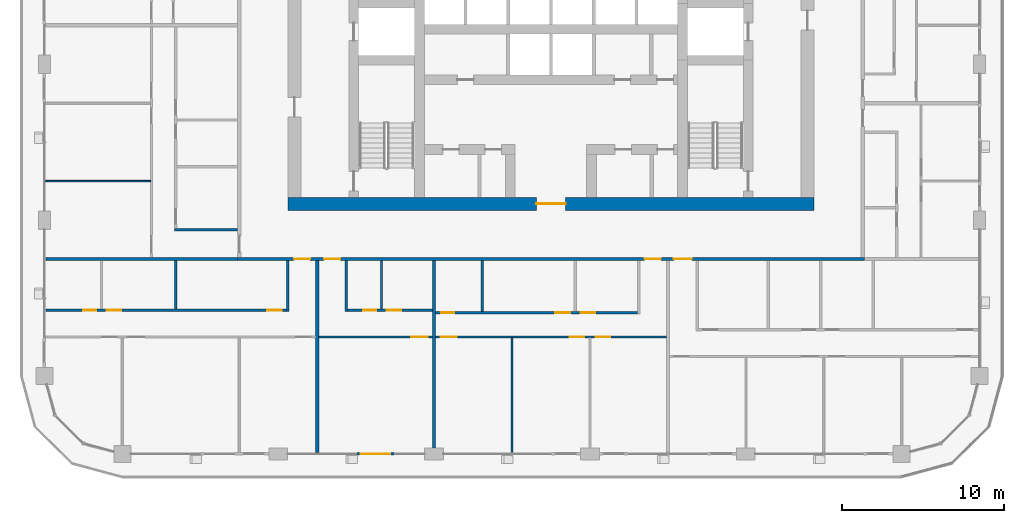
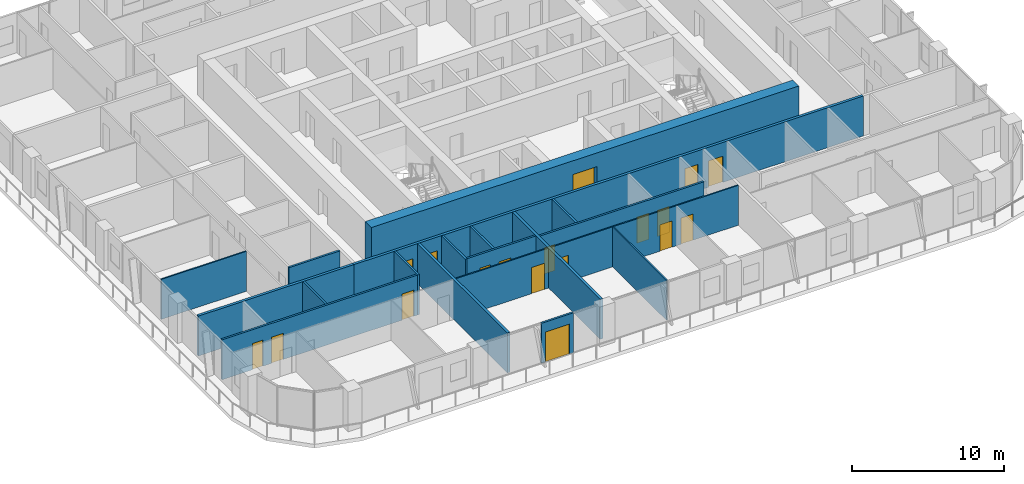
# One storey, part 9 of 22: 19 walls, 18 doors, 18 openings.
"""IFC4 building model written with IfcOpenShell, lengths in metres."""

from ifc_helpers import new_model, si_unit, direction, frame, frame_2d, origin, place, context, subcontext, project, spatial, rectangle, extrude, material, layer, layer_set, type_object, element, fill, save


model = new_model("IFC4")

# Units and contexts
model_context = context("Model", 3, precision=1e-05, world=origin(), true_north=direction((0.0, 1.0)))
body_context = subcontext(model_context, "Body", "Model", "MODEL_VIEW")
ifc_project = project(units=[si_unit("LENGTHUNIT", "METRE"), si_unit("AREAUNIT", "SQUARE_METRE"), si_unit("VOLUMEUNIT", "CUBIC_METRE"), si_unit("PLANEANGLEUNIT", "RADIAN"), si_unit("MASSUNIT", "GRAM", prefix="KILO")], contexts=[model_context])

# Site, building, storey
site_placement = place(None, origin())
site = spatial("IfcSite", under=ifc_project, at=site_placement, CompositionType="ELEMENT")
building_placement = place(site_placement, origin())
building = spatial("IfcBuilding", under=site, at=building_placement, Name="Madar Terraces", CompositionType="ELEMENT")
storey_placement = place(building_placement, frame((0.0, 0.0, 159.5)))
storey = spatial("IfcBuildingStorey", under=building, at=storey_placement, Name="L41", CompositionType="ELEMENT", Elevation=159.5)

# Wall, opening, door
ifc_material_1 = material(Name="Concrete C70/85", Category="concrete")
ifc_layer_1 = layer(ifc_material_1, 0.800048828125)
ifc_layer_set_1 = layer_set([ifc_layer_1], Name="Concrete C70/85 (CRW3 RC wall 800)")
wall_type_1 = type_object("IfcWallType", Name="CRW3 RC wall 800", PredefinedType="SHEAR", material=ifc_layer_set_1)
wall_1_placement = place(storey_placement, frame((15.0, 15.39990234375, 0.0), z_axis=(0.0, 0.0, 1.0), x_axis=(1.0, 0.0, 0.0)))
wall_1 = element("IfcWall", 1, at=wall_1_placement, inside=storey, type_object=wall_type_1, Name="CORE OUTER WALL", PredefinedType="SHEAR", context=body_context, shape_type="SweptSolid", body=[
    extrude(rectangle(XDim=32.39990234375, YDim=0.800048828125, at=frame_2d((16.199951171875, 0.0))), origin(), (0.0, 0.0, 1.0), 3.199951171875),
])
opening_1_placement = place(wall_1_placement, frame((15.300048828125, 0.0, 0.0)))
opening_1 = element("IfcOpeningElement", 2, at=opening_1_placement, cuts=wall_1, Name="Opening KD1", PredefinedType="OPENING", context=body_context, shape_type="SweptSolid", body=[
    extrude(rectangle(XDim=1.800048828125, YDim=2.10009765625, at=frame_2d((0.89990234375, 1.050048828125))), frame((0.0, 0.409912109375, 0.0), z_axis=(0.0, -1.0, 0.0), x_axis=(1.0, 0.0, 0.0)), (0.0, 0.0, 1.0), 0.820068359375),
])
ifc_material_2 = material(Name="Steel door leaf", Category="steel")
door_type_1 = type_object("IfcDoorType", Name="Lobby door pair 1800 x 2100", OperationType="DOUBLE_DOOR_SINGLE_SWING", PredefinedType="DOOR", material=ifc_material_2)
door_1_placement = place(opening_1_placement, frame((1.800048828125, 0.0, 0.0), z_axis=(0.0, 0.0, 1.0), x_axis=(-1.0, 0.0, 0.0)))
door_1 = element("IfcDoor", 3, at=door_1_placement, inside=storey, type_object=door_type_1, Name="LIFT LOBBY DOOR", OperationType="DOUBLE_DOOR_SINGLE_SWING", OverallHeight=2.10009765625, OverallWidth=1.800048828125, PredefinedType="DOOR", context=body_context, shape_type="SweptSolid", body=[
    extrude(rectangle(XDim=1.800048828125, YDim=2.10009765625, at=frame_2d((0.89990234375, 1.050048828125))), frame((0.0, 0.02490234375, 0.0), z_axis=(0.0, -1.0, 0.0), x_axis=(1.0, 0.0, 0.0)), (0.0, 0.0, 1.0), 0.050048828125),
])
fill(opening_1, door_1)

ifc_material_3 = material(Name="Aluminium composite panel, black, over insulated backing", Category="aluminium")
ifc_layer_2 = layer(ifc_material_3, 0.14990234375)
ifc_layer_set_2 = layer_set([ifc_layer_2], Name="Facade bay panel 150")
wall_type_2 = type_object("IfcWallType", Name="Facade bay panel 150", PredefinedType="SOLIDWALL", material=ifc_layer_set_2)
wall_2_placement = place(storey_placement, frame((19.199951171875, 0.0, 0.0), z_axis=(0.0, 0.0, 1.0), x_axis=(1.0, 0.0, 0.0)))
wall_2 = element("IfcWall", 4, at=wall_2_placement, inside=storey, type_object=wall_type_2, Name="Facade bay panel", PredefinedType="SOLIDWALL", context=body_context, shape_type="SweptSolid", body=[
    extrude(rectangle(XDim=2.400146484375, YDim=0.14990234375, at=frame_2d((1.2001953125, 0.0))), origin(), (0.0, 0.0, 1.0), 3.199951171875),
])
opening_2_placement = place(wall_2_placement, frame((0.300048828125, 0.0, 0.0)))
opening_2 = element("IfcOpeningElement", 5, at=opening_2_placement, cuts=wall_2, Name="Opening ED1", PredefinedType="OPENING", context=body_context, shape_type="SweptSolid", body=[
    extrude(rectangle(XDim=1.800048828125, YDim=2.39990234375, at=frame_2d((0.89990234375, 1.199951171875))), frame((0.0, 0.0849609375, 0.0), z_axis=(0.0, -1.0, 0.0), x_axis=(1.0, 0.0, 0.0)), (0.0, 0.0, 1.0), 0.169921875),
])
ifc_material_4 = material(Name="Glass, clear, with black aluminium frame", Category="aluminium")
door_type_2 = type_object("IfcDoorType", Name="Balcony and terrace sliding door 1800 x 2400", OperationType="SLIDING_TO_LEFT", PredefinedType="DOOR", material=ifc_material_4)
door_2_placement = place(opening_2_placement, origin())
door_2 = element("IfcDoor", 6, at=door_2_placement, inside=storey, type_object=door_type_2, Name="Balcony door", OperationType="SLIDING_TO_RIGHT", OverallHeight=2.39990234375, OverallWidth=1.800048828125, PredefinedType="DOOR", context=body_context, shape_type="SweptSolid", body=[
    extrude(rectangle(XDim=1.800048828125, YDim=2.39990234375, at=frame_2d((0.89990234375, 1.199951171875))), frame((0.0, 0.02490234375, 0.0), z_axis=(0.0, -1.0, 0.0), x_axis=(1.0, 0.0, 0.0)), (0.0, 0.0, 1.0), 0.050048828125),
])
fill(opening_2, door_2)

ifc_material_5 = material(Name="Gypsum board on steel studs", Category="steel")
ifc_layer_3 = layer(ifc_material_5, 0.10009765625)
ifc_layer_set_3 = layer_set([ifc_layer_3], Name="Flat partition 100")
wall_type_3 = type_object("IfcWallType", Name="Flat partition 100", PredefinedType="PARTITIONING", material=ifc_layer_set_3)
wall_3_placement = place(storey_placement, frame((23.89990234375, 7.199951171875, 0.0), z_axis=(0.0, 0.0, 1.0), x_axis=(-1.0, 0.0, 0.0)))
wall_3 = element("IfcWall", 7, at=wall_3_placement, inside=storey, type_object=wall_type_3, Name="Flat partition 100", PredefinedType="PARTITIONING", context=body_context, shape_type="SweptSolid", body=[
    extrude(rectangle(XDim=7.0, YDim=0.10009765625, at=frame_2d((3.5, 0.0))), origin(), (0.0, 0.0, 1.0), 3.199951171875),
])
opening_3_placement = place(wall_3_placement, frame((0.300048828125, 0.0, 0.0)))
opening_3 = element("IfcOpeningElement", 8, at=opening_3_placement, cuts=wall_3, Name="Opening D3", PredefinedType="OPENING", context=body_context, shape_type="SweptSolid", body=[
    extrude(rectangle(XDim=1.0, YDim=2.10009765625, at=frame_2d((0.5, 1.050048828125))), frame((0.0, 0.06005859375, 0.0), z_axis=(0.0, -1.0, 0.0), x_axis=(1.0, 0.0, 0.0)), (0.0, 0.0, 1.0), 0.1201171875),
])
ifc_material_6 = material(Name="Timber door leaf", Category="wood")
door_type_3 = type_object("IfcDoorType", Name="Flat living room door 1000", OperationType="NOTDEFINED", PredefinedType="DOOR", material=ifc_material_6)
door_3_placement = place(opening_3_placement, origin())
door_3 = element("IfcDoor", 9, at=door_3_placement, inside=storey, type_object=door_type_3, Name="Flat living room door 1000", OperationType="SINGLE_SWING_LEFT", OverallHeight=2.10009765625, OverallWidth=1.0, PredefinedType="DOOR", context=body_context, shape_type="SweptSolid", body=[
    extrude(rectangle(XDim=1.0, YDim=2.10009765625, at=frame_2d((0.5, 1.050048828125))), frame((0.0, 0.02490234375, 0.0), z_axis=(0.0, -1.0, 0.0), x_axis=(1.0, 0.0, 0.0)), (0.0, 0.0, 1.0), 0.050048828125),
])
fill(opening_3, door_3)

# Wall
wall_4_placement = place(storey_placement, frame((28.800048828125, 7.14990234375, 0.0), z_axis=(0.0, 0.0, 1.0), x_axis=(0.0, -1.0, 0.0)))
element("IfcWall", 10, at=wall_4_placement, inside=storey, type_object=wall_type_3, Name="Flat partition 100", PredefinedType="PARTITIONING", context=body_context, shape_type="SweptSolid", body=[
    extrude(rectangle(XDim=7.0498046875, YDim=0.10009765625, at=frame_2d((3.52490234375, 0.0))), origin(), (0.0, 0.0, 1.0), 3.199951171875),
])

# Wall, openings, doors
wall_5_placement = place(storey_placement, frame((38.300048828125, 7.199951171875, 0.0), z_axis=(0.0, 0.0, 1.0), x_axis=(-1.0, 0.0, 0.0)))
wall_5 = element("IfcWall", 11, at=wall_5_placement, inside=storey, type_object=wall_type_3, Name="Flat partition 100", PredefinedType="PARTITIONING", context=body_context, shape_type="SweptSolid", body=[
    extrude(rectangle(XDim=14.199951171875, YDim=0.10009765625, at=frame_2d((7.10009765625, 0.0))), origin(), (0.0, 0.0, 1.0), 3.199951171875),
])
opening_4_placement = place(wall_5_placement, frame((3.449951171875, 0.0, 0.0)))
opening_4 = element("IfcOpeningElement", 12, at=opening_4_placement, cuts=wall_5, Name="Opening D2", PredefinedType="OPENING", context=body_context, shape_type="SweptSolid", body=[
    extrude(rectangle(XDim=0.89990234375, YDim=2.10009765625, at=frame_2d((0.449951171875, 1.050048828125))), frame((0.0, 0.06005859375, 0.0), z_axis=(0.0, -1.0, 0.0), x_axis=(1.0, 0.0, 0.0)), (0.0, 0.0, 1.0), 0.1201171875),
])
opening_5_placement = place(wall_5_placement, frame((5.050048828125, 0.0, 0.0)))
opening_5 = element("IfcOpeningElement", 13, at=opening_5_placement, cuts=wall_5, Name="Opening D2", PredefinedType="OPENING", context=body_context, shape_type="SweptSolid", body=[
    extrude(rectangle(XDim=0.89990234375, YDim=2.10009765625, at=frame_2d((0.449951171875, 1.050048828125))), frame((0.0, 0.06005859375, 0.0), z_axis=(0.0, -1.0, 0.0), x_axis=(1.0, 0.0, 0.0)), (0.0, 0.0, 1.0), 0.1201171875),
])
opening_6_placement = place(wall_5_placement, frame((12.89990234375, 0.0, 0.0)))
opening_6 = element("IfcOpeningElement", 14, at=opening_6_placement, cuts=wall_5, Name="Opening D3", PredefinedType="OPENING", context=body_context, shape_type="SweptSolid", body=[
    extrude(rectangle(XDim=1.0, YDim=2.10009765625, at=frame_2d((0.5, 1.050048828125))), frame((0.0, 0.06005859375, 0.0), z_axis=(0.0, -1.0, 0.0), x_axis=(1.0, 0.0, 0.0)), (0.0, 0.0, 1.0), 0.1201171875),
])
door_4_placement = place(opening_6_placement, origin())
door_4 = element("IfcDoor", 15, at=door_4_placement, inside=storey, type_object=door_type_3, Name="Flat living room door 1000", OperationType="SINGLE_SWING_RIGHT", OverallHeight=2.10009765625, OverallWidth=1.0, PredefinedType="DOOR", context=body_context, shape_type="SweptSolid", body=[
    extrude(rectangle(XDim=1.0, YDim=2.10009765625, at=frame_2d((0.5, 1.050048828125))), frame((0.0, 0.02490234375, 0.0), z_axis=(0.0, -1.0, 0.0), x_axis=(1.0, 0.0, 0.0)), (0.0, 0.0, 1.0), 0.050048828125),
])
fill(opening_6, door_4)
ifc_material_7 = material(Name="Timber door leaf", Category="wood")
door_type_4 = type_object("IfcDoorType", Name="Flat room door 900", OperationType="NOTDEFINED", PredefinedType="DOOR", material=ifc_material_7)
door_5_placement = place(opening_4_placement, origin())
door_5 = element("IfcDoor", 16, at=door_5_placement, inside=storey, type_object=door_type_4, Name="Flat room door 900", OperationType="SINGLE_SWING_RIGHT", OverallHeight=2.10009765625, OverallWidth=0.89990234375, PredefinedType="DOOR", context=body_context, shape_type="SweptSolid", body=[
    extrude(rectangle(XDim=0.89990234375, YDim=2.10009765625, at=frame_2d((0.449951171875, 1.050048828125))), frame((0.0, 0.02490234375, 0.0), z_axis=(0.0, -1.0, 0.0), x_axis=(1.0, 0.0, 0.0)), (0.0, 0.0, 1.0), 0.050048828125),
])
fill(opening_4, door_5)
door_6_placement = place(opening_5_placement, origin())
door_6 = element("IfcDoor", 17, at=door_6_placement, inside=storey, type_object=door_type_4, Name="Flat room door 900", OperationType="SINGLE_SWING_LEFT", OverallHeight=2.10009765625, OverallWidth=0.89990234375, PredefinedType="DOOR", context=body_context, shape_type="SweptSolid", body=[
    extrude(rectangle(XDim=0.89990234375, YDim=2.10009765625, at=frame_2d((0.449951171875, 1.050048828125))), frame((0.0, 0.02490234375, 0.0), z_axis=(0.0, -1.0, 0.0), x_axis=(1.0, 0.0, 0.0)), (0.0, 0.0, 1.0), 0.050048828125),
])
fill(opening_5, door_6)

# Wall
wall_6_placement = place(storey_placement, frame((6.550048828125, 16.800048828125, 0.0), z_axis=(0.0, 0.0, 1.0), x_axis=(-1.0, 0.0, 0.0)))
element("IfcWall", 18, at=wall_6_placement, inside=storey, type_object=wall_type_3, Name="Flat partition 100", PredefinedType="PARTITIONING", context=body_context, shape_type="SweptSolid", body=[
    extrude(rectangle(XDim=6.449951171875, YDim=0.10009765625, at=frame_2d((3.22509765625, 0.0))), origin(), (0.0, 0.0, 1.0), 3.199951171875),
])

# Wall, openings, doors
ifc_material_8 = material(Name="Lightweight blockwork", Category="masonry")
ifc_layer_4 = layer(ifc_material_8, 0.199951171875)
ifc_layer_set_4 = layer_set([ifc_layer_4], Name="Flat party and entrance wall 200")
wall_type_4 = type_object("IfcWallType", Name="Flat party and entrance wall 200", PredefinedType="PARTITIONING", material=ifc_layer_set_4)
wall_7_placement = place(storey_placement, frame((50.5, 12.0, 0.0), z_axis=(0.0, 0.0, 1.0), x_axis=(-1.0, 0.0, 0.0)))
wall_7 = element("IfcWall", 19, at=wall_7_placement, inside=storey, type_object=wall_type_4, Name="Flat party and entrance wall 200", PredefinedType="PARTITIONING", context=body_context, shape_type="SweptSolid", body=[
    extrude(rectangle(XDim=38.60009765625, YDim=0.199951171875, at=frame_2d((19.300048828125, 0.0))), origin(), (0.0, 0.0, 1.0), 3.199951171875),
])
opening_7_placement = place(wall_7_placement, frame((34.125, 0.0, 0.0)))
opening_7 = element("IfcOpeningElement", 20, at=opening_7_placement, cuts=wall_7, Name="Opening D1", PredefinedType="OPENING", context=body_context, shape_type="SweptSolid", body=[
    extrude(rectangle(XDim=1.0, YDim=2.10009765625, at=frame_2d((0.5, 1.050048828125))), frame((0.0, 0.10986328125, 0.0), z_axis=(0.0, -1.0, 0.0), x_axis=(1.0, 0.0, 0.0)), (0.0, 0.0, 1.0), 0.219970703125),
])
opening_8_placement = place(wall_7_placement, frame((32.27490234375, 0.0, 0.0)))
opening_8 = element("IfcOpeningElement", 21, at=opening_8_placement, cuts=wall_7, Name="Opening D1", PredefinedType="OPENING", context=body_context, shape_type="SweptSolid", body=[
    extrude(rectangle(XDim=1.0, YDim=2.10009765625, at=frame_2d((0.5, 1.050048828125))), frame((0.0, 0.10986328125, 0.0), z_axis=(0.0, -1.0, 0.0), x_axis=(1.0, 0.0, 0.0)), (0.0, 0.0, 1.0), 0.219970703125),
])
opening_9_placement = place(wall_7_placement, frame((12.52490234375, 0.0, 0.0)))
opening_9 = element("IfcOpeningElement", 22, at=opening_9_placement, cuts=wall_7, Name="Opening D1", PredefinedType="OPENING", context=body_context, shape_type="SweptSolid", body=[
    extrude(rectangle(XDim=1.0, YDim=2.10009765625, at=frame_2d((0.5, 1.050048828125))), frame((0.0, 0.10986328125, 0.0), z_axis=(0.0, -1.0, 0.0), x_axis=(1.0, 0.0, 0.0)), (0.0, 0.0, 1.0), 0.219970703125),
])
opening_10_placement = place(wall_7_placement, frame((10.625, 0.0, 0.0)))
opening_10 = element("IfcOpeningElement", 23, at=opening_10_placement, cuts=wall_7, Name="Opening D6", PredefinedType="OPENING", context=body_context, shape_type="SweptSolid", body=[
    extrude(rectangle(XDim=1.10009765625, YDim=2.10009765625, at=frame_2d((0.550048828125, 1.050048828125))), frame((0.0, 0.10986328125, 0.0), z_axis=(0.0, -1.0, 0.0), x_axis=(1.0, 0.0, 0.0)), (0.0, 0.0, 1.0), 0.219970703125),
])
ifc_material_9 = material(Name="Timber fire door leaf", Category="wood")
door_type_5 = type_object("IfcDoorType", Name="Flat entrance door 1000 FD30S", OperationType="NOTDEFINED", PredefinedType="DOOR", material=ifc_material_9)
door_7_placement = place(opening_7_placement, origin())
door_7 = element("IfcDoor", 24, at=door_7_placement, inside=storey, type_object=door_type_5, Name="Flat entrance door 1000 FD30S", OperationType="SINGLE_SWING_LEFT", OverallHeight=2.10009765625, OverallWidth=1.0, PredefinedType="DOOR", context=body_context, shape_type="SweptSolid", body=[
    extrude(rectangle(XDim=1.0, YDim=2.10009765625, at=frame_2d((0.5, 1.050048828125))), frame((0.0, 0.02490234375, 0.0), z_axis=(0.0, -1.0, 0.0), x_axis=(1.0, 0.0, 0.0)), (0.0, 0.0, 1.0), 0.050048828125),
])
fill(opening_7, door_7)
door_8_placement = place(opening_8_placement, origin())
door_8 = element("IfcDoor", 25, at=door_8_placement, inside=storey, type_object=door_type_5, Name="Flat entrance door 1000 FD30S", OperationType="SINGLE_SWING_RIGHT", OverallHeight=2.10009765625, OverallWidth=1.0, PredefinedType="DOOR", context=body_context, shape_type="SweptSolid", body=[
    extrude(rectangle(XDim=1.0, YDim=2.10009765625, at=frame_2d((0.5, 1.050048828125))), frame((0.0, 0.02490234375, 0.0), z_axis=(0.0, -1.0, 0.0), x_axis=(1.0, 0.0, 0.0)), (0.0, 0.0, 1.0), 0.050048828125),
])
fill(opening_8, door_8)
door_9_placement = place(opening_9_placement, origin())
door_9 = element("IfcDoor", 26, at=door_9_placement, inside=storey, type_object=door_type_5, Name="Flat entrance door 1000 FD30S", OperationType="SINGLE_SWING_LEFT", OverallHeight=2.10009765625, OverallWidth=1.0, PredefinedType="DOOR", context=body_context, shape_type="SweptSolid", body=[
    extrude(rectangle(XDim=1.0, YDim=2.10009765625, at=frame_2d((0.5, 1.050048828125))), frame((0.0, 0.02490234375, 0.0), z_axis=(0.0, -1.0, 0.0), x_axis=(1.0, 0.0, 0.0)), (0.0, 0.0, 1.0), 0.050048828125),
])
fill(opening_9, door_9)
ifc_material_10 = material(Name="Timber fire door leaf", Category="wood")
door_type_6 = type_object("IfcDoorType", Name="Flat entrance door 1100 FD30S", OperationType="NOTDEFINED", PredefinedType="DOOR", material=ifc_material_10)
door_10_placement = place(opening_10_placement, origin())
door_10 = element("IfcDoor", 27, at=door_10_placement, inside=storey, type_object=door_type_6, Name="Flat entrance door 1100 FD30S", OperationType="SINGLE_SWING_RIGHT", OverallHeight=2.10009765625, OverallWidth=1.10009765625, PredefinedType="DOOR", context=body_context, shape_type="SweptSolid", body=[
    extrude(rectangle(XDim=1.10009765625, YDim=2.10009765625, at=frame_2d((0.550048828125, 1.050048828125))), frame((0.0, 0.02490234375, 0.0), z_axis=(0.0, -1.0, 0.0), x_axis=(1.0, 0.0, 0.0)), (0.0, 0.0, 1.0), 0.050048828125),
])
fill(opening_10, door_10)

# Walls
for number, where, z_axis, x_axis, name in (
    (28, (16.800048828125, 11.89990234375, 0.0), (0.0, 0.0, 1.0), (0.0, -1.0, 0.0), "Flat party and entrance wall 200"),
    (29, (0.10009765625, 12.0, 0.0), (0.0, 0.0, 1.0), (1.0, 0.0, 0.0), "Flat party and entrance wall 200"),
):
    element("IfcWall", number, at=place(storey_placement, frame(where, z_axis=z_axis, x_axis=x_axis)), inside=storey, type_object=wall_type_4, Name=name, PredefinedType="PARTITIONING", context=body_context, shape_type="SweptSolid", body=[
        extrude(rectangle(XDim=11.7998046875, YDim=0.199951171875, at=frame_2d((5.89990234375, 0.0))), origin(), (0.0, 0.0, 1.0), 3.199951171875),
    ])
wall_8_placement = place(storey_placement, frame((24.0, 11.89990234375, 0.0), z_axis=(0.0, 0.0, 1.0), x_axis=(0.0, -1.0, 0.0)))
element("IfcWall", 30, at=wall_8_placement, inside=storey, type_object=wall_type_4, Name="Flat party and entrance wall 200", PredefinedType="PARTITIONING", context=body_context, shape_type="SweptSolid", body=[
    extrude(rectangle(XDim=11.52490234375, YDim=0.199951171875, at=frame_2d((5.762451171875, 0.0))), origin(), (0.0, 0.0, 1.0), 3.199951171875),
])
ifc_material_11 = material(Name="Lightweight blockwork", Category="masonry")
ifc_layer_5 = layer(ifc_material_11, 0.14990234375)
ifc_layer_set_5 = layer_set([ifc_layer_5], Name="Flat wet-room partition 150")
wall_type_5 = type_object("IfcWallType", Name="Flat wet-room partition 150", PredefinedType="PARTITIONING", material=ifc_layer_set_5)
wall_9_placement = place(storey_placement, frame((8.082763671875, 11.89990234375, 0.0), z_axis=(0.0, 0.0, 1.0), x_axis=(0.0, -1.0, 0.0)))
element("IfcWall", 31, at=wall_9_placement, inside=storey, type_object=wall_type_5, Name="Flat wet-room partition 150", PredefinedType="PARTITIONING", context=body_context, shape_type="SweptSolid", body=[
    extrude(rectangle(XDim=2.974853515625, YDim=0.14990234375, at=frame_2d((1.4873046875, 0.0))), origin(), (0.0, 0.0, 1.0), 3.199951171875),
])
wall_10_placement = place(storey_placement, frame((15.0, 11.89990234375, 0.0), z_axis=(0.0, 0.0, 1.0), x_axis=(0.0, -1.0, 0.0)))
element("IfcWall", 32, at=wall_10_placement, inside=storey, type_object=wall_type_5, Name="Flat wet-room partition 150", PredefinedType="PARTITIONING", context=body_context, shape_type="SweptSolid", body=[
    extrude(rectangle(XDim=3.125, YDim=0.14990234375, at=frame_2d((1.5625, 0.0))), origin(), (0.0, 0.0, 1.0), 3.199951171875),
])

# Wall, openings, doors
wall_11_placement = place(storey_placement, frame((0.10009765625, 8.85009765625, 0.0), z_axis=(0.0, 0.0, 1.0), x_axis=(1.0, 0.0, 0.0)))
wall_11 = element("IfcWall", 33, at=wall_11_placement, inside=storey, type_object=wall_type_5, Name="Flat wet-room partition 150", PredefinedType="PARTITIONING", context=body_context, shape_type="SweptSolid", body=[
    extrude(rectangle(XDim=14.824951171875, YDim=0.14990234375, at=frame_2d((7.41259765625, 0.0))), origin(), (0.0, 0.0, 1.0), 3.199951171875),
])
opening_11_placement = place(wall_11_placement, frame((13.625, 0.0, 0.0)))
opening_11 = element("IfcOpeningElement", 34, at=opening_11_placement, cuts=wall_11, Name="Opening D2", PredefinedType="OPENING", context=body_context, shape_type="SweptSolid", body=[
    extrude(rectangle(XDim=0.89990234375, YDim=2.10009765625, at=frame_2d((0.449951171875, 1.050048828125))), frame((0.0, 0.0849609375, 0.0), z_axis=(0.0, -1.0, 0.0), x_axis=(1.0, 0.0, 0.0)), (0.0, 0.0, 1.0), 0.169921875),
])
opening_12_placement = place(wall_11_placement, frame((3.74609375, 0.0, 0.0)))
opening_12 = element("IfcOpeningElement", 35, at=opening_12_placement, cuts=wall_11, Name="Opening D5", PredefinedType="OPENING", context=body_context, shape_type="SweptSolid", body=[
    extrude(rectangle(XDim=0.89990234375, YDim=2.10009765625, at=frame_2d((0.449951171875, 1.050048828125))), frame((0.0, 0.0849609375, 0.0), z_axis=(0.0, -1.0, 0.0), x_axis=(1.0, 0.0, 0.0)), (0.0, 0.0, 1.0), 0.169921875),
])
opening_13_placement = place(wall_11_placement, frame((2.296142578125, 0.0, 0.0)))
opening_13 = element("IfcOpeningElement", 36, at=opening_13_placement, cuts=wall_11, Name="Opening D4", PredefinedType="OPENING", context=body_context, shape_type="SweptSolid", body=[
    extrude(rectangle(XDim=0.800048828125, YDim=2.10009765625, at=frame_2d((0.39990234375, 1.050048828125))), frame((0.0, 0.0849609375, 0.0), z_axis=(0.0, -1.0, 0.0), x_axis=(1.0, 0.0, 0.0)), (0.0, 0.0, 1.0), 0.169921875),
])
ifc_material_12 = material(Name="Timber door leaf", Category="wood")
door_type_7 = type_object("IfcDoorType", Name="Flat accessible bathroom door 900", OperationType="NOTDEFINED", PredefinedType="DOOR", material=ifc_material_12)
door_11_placement = place(opening_12_placement, origin())
door_11 = element("IfcDoor", 37, at=door_11_placement, inside=storey, type_object=door_type_7, Name="Flat accessible bathroom door 900", OperationType="SINGLE_SWING_LEFT", OverallHeight=2.10009765625, OverallWidth=0.89990234375, PredefinedType="DOOR", context=body_context, shape_type="SweptSolid", body=[
    extrude(rectangle(XDim=0.89990234375, YDim=2.10009765625, at=frame_2d((0.449951171875, 1.050048828125))), frame((0.0, 0.02490234375, 0.0), z_axis=(0.0, -1.0, 0.0), x_axis=(1.0, 0.0, 0.0)), (0.0, 0.0, 1.0), 0.050048828125),
])
fill(opening_12, door_11)
ifc_material_13 = material(Name="Timber door leaf", Category="wood")
door_type_8 = type_object("IfcDoorType", Name="Flat bathroom door 800", OperationType="NOTDEFINED", PredefinedType="DOOR", material=ifc_material_13)
door_12_placement = place(opening_13_placement, origin())
door_12 = element("IfcDoor", 38, at=door_12_placement, inside=storey, type_object=door_type_8, Name="Flat bathroom door 800", OperationType="SINGLE_SWING_RIGHT", OverallHeight=2.10009765625, OverallWidth=0.800048828125, PredefinedType="DOOR", context=body_context, shape_type="SweptSolid", body=[
    extrude(rectangle(XDim=0.800048828125, YDim=2.10009765625, at=frame_2d((0.39990234375, 1.050048828125))), frame((0.0, 0.02490234375, 0.0), z_axis=(0.0, -1.0, 0.0), x_axis=(1.0, 0.0, 0.0)), (0.0, 0.0, 1.0), 0.050048828125),
])
fill(opening_13, door_12)
door_13_placement = place(opening_11_placement, origin())
door_13 = element("IfcDoor", 39, at=door_13_placement, inside=storey, type_object=door_type_4, Name="Flat room door 900", OperationType="SINGLE_SWING_RIGHT", OverallHeight=2.10009765625, OverallWidth=0.89990234375, PredefinedType="DOOR", context=body_context, shape_type="SweptSolid", body=[
    extrude(rectangle(XDim=0.89990234375, YDim=2.10009765625, at=frame_2d((0.449951171875, 1.050048828125))), frame((0.0, 0.02490234375, 0.0), z_axis=(0.0, -1.0, 0.0), x_axis=(1.0, 0.0, 0.0)), (0.0, 0.0, 1.0), 0.050048828125),
])
fill(opening_11, door_13)

# Walls
wall_12_placement = place(storey_placement, frame((20.764892578125, 11.89990234375, 0.0), z_axis=(0.0, 0.0, 1.0), x_axis=(0.0, -1.0, 0.0)))
element("IfcWall", 40, at=wall_12_placement, inside=storey, type_object=wall_type_5, Name="Flat wet-room partition 150", PredefinedType="PARTITIONING", context=body_context, shape_type="SweptSolid", body=[
    extrude(rectangle(XDim=2.974853515625, YDim=0.14990234375, at=frame_2d((1.4873046875, 0.0))), origin(), (0.0, 0.0, 1.0), 3.199951171875),
])
wall_13_placement = place(storey_placement, frame((18.60009765625, 11.89990234375, 0.0), z_axis=(0.0, 0.0, 1.0), x_axis=(0.0, -1.0, 0.0)))
element("IfcWall", 41, at=wall_13_placement, inside=storey, type_object=wall_type_5, Name="Flat wet-room partition 150", PredefinedType="PARTITIONING", context=body_context, shape_type="SweptSolid", body=[
    extrude(rectangle(XDim=3.125, YDim=0.14990234375, at=frame_2d((1.5625, 0.0))), origin(), (0.0, 0.0, 1.0), 3.199951171875),
])

# Wall, openings, doors
wall_14_placement = place(storey_placement, frame((18.675048828125, 8.85009765625, 0.0), z_axis=(0.0, 0.0, 1.0), x_axis=(1.0, 0.0, 0.0)))
wall_14 = element("IfcWall", 42, at=wall_14_placement, inside=storey, type_object=wall_type_5, Name="Flat wet-room partition 150", PredefinedType="PARTITIONING", context=body_context, shape_type="SweptSolid", body=[
    extrude(rectangle(XDim=5.224853515625, YDim=0.14990234375, at=frame_2d((2.6123046875, 0.0))), origin(), (0.0, 0.0, 1.0), 3.199951171875),
])
opening_14_placement = place(wall_14_placement, frame((0.965087890625, 0.0, 0.0)))
opening_14 = element("IfcOpeningElement", 43, at=opening_14_placement, cuts=wall_14, Name="Opening D4", PredefinedType="OPENING", context=body_context, shape_type="SweptSolid", body=[
    extrude(rectangle(XDim=0.800048828125, YDim=2.10009765625, at=frame_2d((0.39990234375, 1.050048828125))), frame((0.0, 0.0849609375, 0.0), z_axis=(0.0, -1.0, 0.0), x_axis=(1.0, 0.0, 0.0)), (0.0, 0.0, 1.0), 0.169921875),
])
opening_15_placement = place(wall_14_placement, frame((2.4150390625, 0.0, 0.0)))
opening_15 = element("IfcOpeningElement", 44, at=opening_15_placement, cuts=wall_14, Name="Opening D2", PredefinedType="OPENING", context=body_context, shape_type="SweptSolid", body=[
    extrude(rectangle(XDim=0.89990234375, YDim=2.10009765625, at=frame_2d((0.449951171875, 1.050048828125))), frame((0.0, 0.0849609375, 0.0), z_axis=(0.0, -1.0, 0.0), x_axis=(1.0, 0.0, 0.0)), (0.0, 0.0, 1.0), 0.169921875),
])
door_14_placement = place(opening_14_placement, origin())
door_14 = element("IfcDoor", 45, at=door_14_placement, inside=storey, type_object=door_type_8, Name="Flat bathroom door 800", OperationType="SINGLE_SWING_RIGHT", OverallHeight=2.10009765625, OverallWidth=0.800048828125, PredefinedType="DOOR", context=body_context, shape_type="SweptSolid", body=[
    extrude(rectangle(XDim=0.800048828125, YDim=2.10009765625, at=frame_2d((0.39990234375, 1.050048828125))), frame((0.0, 0.02490234375, 0.0), z_axis=(0.0, -1.0, 0.0), x_axis=(1.0, 0.0, 0.0)), (0.0, 0.0, 1.0), 0.050048828125),
])
fill(opening_14, door_14)
door_15_placement = place(opening_15_placement, origin())
door_15 = element("IfcDoor", 46, at=door_15_placement, inside=storey, type_object=door_type_4, Name="Flat room door 900", OperationType="SINGLE_SWING_LEFT", OverallHeight=2.10009765625, OverallWidth=0.89990234375, PredefinedType="DOOR", context=body_context, shape_type="SweptSolid", body=[
    extrude(rectangle(XDim=0.89990234375, YDim=2.10009765625, at=frame_2d((0.449951171875, 1.050048828125))), frame((0.0, 0.02490234375, 0.0), z_axis=(0.0, -1.0, 0.0), x_axis=(1.0, 0.0, 0.0)), (0.0, 0.0, 1.0), 0.050048828125),
])
fill(opening_15, door_15)

# Wall
wall_15_placement = place(storey_placement, frame((26.96728515625, 11.89990234375, 0.0), z_axis=(0.0, 0.0, 1.0), x_axis=(0.0, -1.0, 0.0)))
element("IfcWall", 47, at=wall_15_placement, inside=storey, type_object=wall_type_5, Name="Flat wet-room partition 150", PredefinedType="PARTITIONING", context=body_context, shape_type="SweptSolid", body=[
    extrude(rectangle(XDim=3.125, YDim=0.14990234375, at=frame_2d((1.5625, 0.0))), origin(), (0.0, 0.0, 1.0), 3.199951171875),
])

# Wall, openings, doors
wall_16_placement = place(storey_placement, frame((24.10009765625, 8.699951171875, 0.0), z_axis=(0.0, 0.0, 1.0), x_axis=(1.0, 0.0, 0.0)))
wall_16 = element("IfcWall", 48, at=wall_16_placement, inside=storey, type_object=wall_type_5, Name="Flat wet-room partition 150", PredefinedType="PARTITIONING", context=body_context, shape_type="SweptSolid", body=[
    extrude(rectangle(XDim=12.4248046875, YDim=0.14990234375, at=frame_2d((6.21240234375, 0.0))), origin(), (0.0, 0.0, 1.0), 3.199951171875),
])
opening_16_placement = place(wall_16_placement, frame((8.927001953125, 0.0, 0.0)))
opening_16 = element("IfcOpeningElement", 49, at=opening_16_placement, cuts=wall_16, Name="Opening D5", PredefinedType="OPENING", context=body_context, shape_type="SweptSolid", body=[
    extrude(rectangle(XDim=0.89990234375, YDim=2.10009765625, at=frame_2d((0.449951171875, 1.050048828125))), frame((0.0, 0.0849609375, 0.0), z_axis=(0.0, -1.0, 0.0), x_axis=(1.0, 0.0, 0.0)), (0.0, 0.0, 1.0), 0.169921875),
])
opening_17_placement = place(wall_16_placement, frame((7.376953125, 0.0, 0.0)))
opening_17 = element("IfcOpeningElement", 50, at=opening_17_placement, cuts=wall_16, Name="Opening D2", PredefinedType="OPENING", context=body_context, shape_type="SweptSolid", body=[
    extrude(rectangle(XDim=0.89990234375, YDim=2.10009765625, at=frame_2d((0.449951171875, 1.050048828125))), frame((0.0, 0.0849609375, 0.0), z_axis=(0.0, -1.0, 0.0), x_axis=(1.0, 0.0, 0.0)), (0.0, 0.0, 1.0), 0.169921875),
])
opening_18_placement = place(wall_16_placement, frame((0.35009765625, 0.0, 0.0)))
opening_18 = element("IfcOpeningElement", 51, at=opening_18_placement, cuts=wall_16, Name="Opening D4", PredefinedType="OPENING", context=body_context, shape_type="SweptSolid", body=[
    extrude(rectangle(XDim=0.800048828125, YDim=2.10009765625, at=frame_2d((0.39990234375, 1.050048828125))), frame((0.0, 0.0849609375, 0.0), z_axis=(0.0, -1.0, 0.0), x_axis=(1.0, 0.0, 0.0)), (0.0, 0.0, 1.0), 0.169921875),
])
door_16_placement = place(opening_16_placement, origin())
door_16 = element("IfcDoor", 52, at=door_16_placement, inside=storey, type_object=door_type_7, Name="Flat accessible bathroom door 900", OperationType="SINGLE_SWING_LEFT", OverallHeight=2.10009765625, OverallWidth=0.89990234375, PredefinedType="DOOR", context=body_context, shape_type="SweptSolid", body=[
    extrude(rectangle(XDim=0.89990234375, YDim=2.10009765625, at=frame_2d((0.449951171875, 1.050048828125))), frame((0.0, 0.02490234375, 0.0), z_axis=(0.0, -1.0, 0.0), x_axis=(1.0, 0.0, 0.0)), (0.0, 0.0, 1.0), 0.050048828125),
])
fill(opening_16, door_16)
door_17_placement = place(opening_18_placement, origin())
door_17 = element("IfcDoor", 53, at=door_17_placement, inside=storey, type_object=door_type_8, Name="Flat bathroom door 800", OperationType="SINGLE_SWING_LEFT", OverallHeight=2.10009765625, OverallWidth=0.800048828125, PredefinedType="DOOR", context=body_context, shape_type="SweptSolid", body=[
    extrude(rectangle(XDim=0.800048828125, YDim=2.10009765625, at=frame_2d((0.39990234375, 1.050048828125))), frame((0.0, 0.02490234375, 0.0), z_axis=(0.0, -1.0, 0.0), x_axis=(1.0, 0.0, 0.0)), (0.0, 0.0, 1.0), 0.050048828125),
])
fill(opening_18, door_17)
door_18_placement = place(opening_17_placement, origin())
door_18 = element("IfcDoor", 54, at=door_18_placement, inside=storey, type_object=door_type_4, Name="Flat room door 900", OperationType="SINGLE_SWING_RIGHT", OverallHeight=2.10009765625, OverallWidth=0.89990234375, PredefinedType="DOOR", context=body_context, shape_type="SweptSolid", body=[
    extrude(rectangle(XDim=0.89990234375, YDim=2.10009765625, at=frame_2d((0.449951171875, 1.050048828125))), frame((0.0, 0.02490234375, 0.0), z_axis=(0.0, -1.0, 0.0), x_axis=(1.0, 0.0, 0.0)), (0.0, 0.0, 1.0), 0.050048828125),
])
fill(opening_17, door_18)

# Wall
wall_17_placement = place(storey_placement, frame((11.89990234375, 13.800048828125, 0.0), z_axis=(0.0, 0.0, 1.0), x_axis=(-1.0, 0.0, 0.0)))
element("IfcWall", 55, at=wall_17_placement, inside=storey, type_object=wall_type_5, Name="Flat wet-room partition 150", PredefinedType="PARTITIONING", context=body_context, shape_type="SweptSolid", body=[
    extrude(rectangle(XDim=3.875, YDim=0.14990234375, at=frame_2d((1.9375, 0.0))), origin(), (0.0, 0.0, 1.0), 3.199951171875),
])

save(model, "model.ifc")
